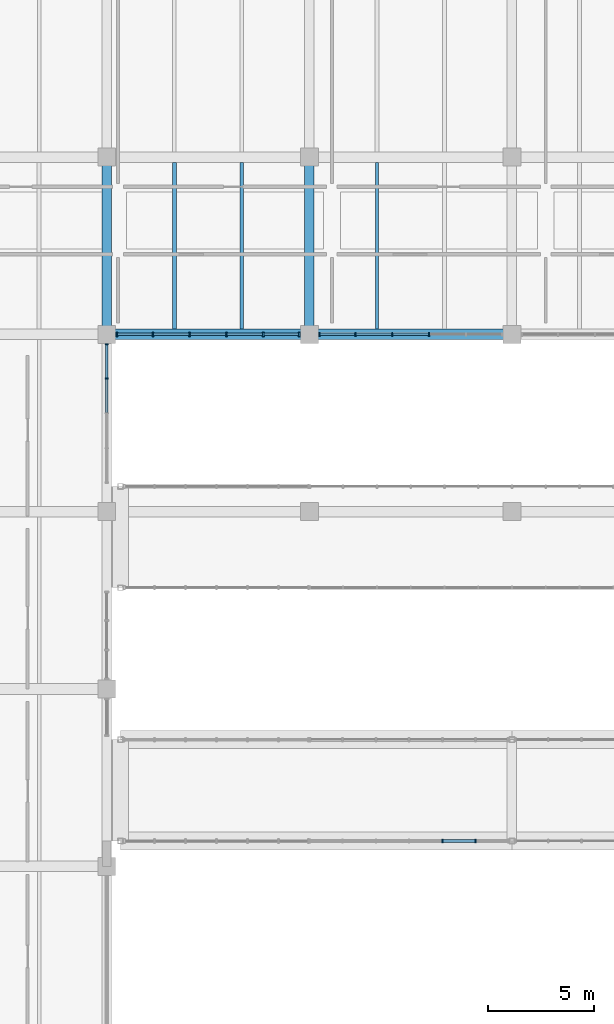
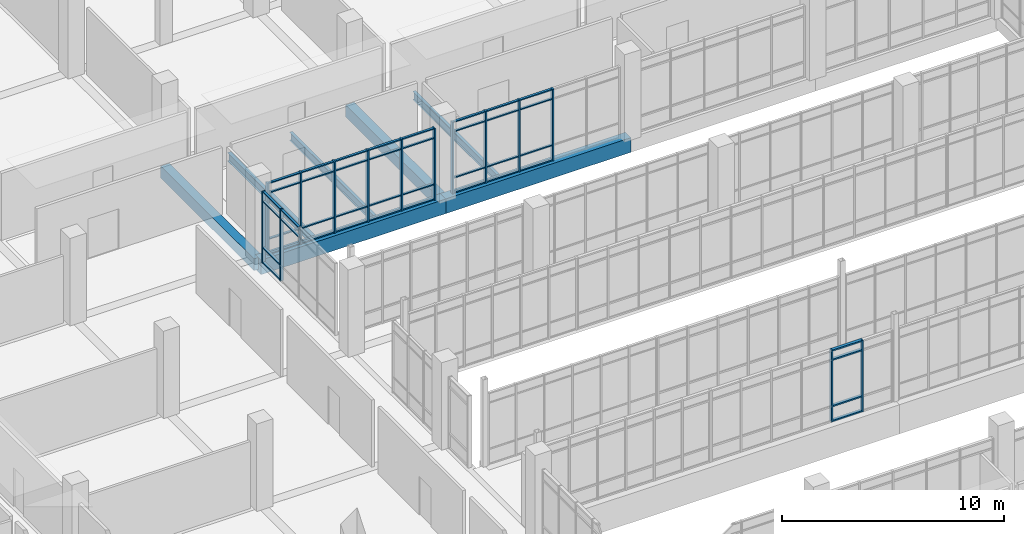
# One storey, part 54 of 152: 56 members, 7 beams, 4 elements without a shape of their own.
"""IFC4 building model written with IfcOpenShell, lengths in metres."""

from ifc_helpers import new_model, si_unit, direction, frame, origin, origin_2d, place, context, subcontext, project, spatial, rectangle, i_section, extrude, material, material_profile, profile_set, type_object, element, aggregate, save


model = new_model("IFC4")

# Units and contexts
model_context = context("Model", 3, precision=1e-05, world=origin(), true_north=direction((0.0, 1.0)))
body_context = subcontext(model_context, "Body", "Model", "MODEL_VIEW")
ifc_project = project(units=[si_unit("LENGTHUNIT", "METRE"), si_unit("AREAUNIT", "SQUARE_METRE"), si_unit("VOLUMEUNIT", "CUBIC_METRE"), si_unit("PLANEANGLEUNIT", "RADIAN"), si_unit("MASSUNIT", "GRAM", prefix="KILO")], contexts=[model_context])

# Site, building, storey
site_placement = place(None, origin())
site = spatial("IfcSite", under=ifc_project, at=site_placement, CompositionType="ELEMENT")
building_placement = place(site_placement, origin())
building = spatial("IfcBuilding", under=site, at=building_placement, Name="Oolite Switchyard Hospital", CompositionType="ELEMENT")
storey_placement = place(building_placement, frame((0.0, 0.0, 5.10009765625)))
storey = spatial("IfcBuildingStorey", under=building, at=storey_placement, Name="L01", CompositionType="ELEMENT", Elevation=5.10009765625)

# Beams
ifc_material_1 = material(Name="Concrete C40/50", Category="concrete")
ifc_material_profile_1 = material_profile(ifc_material_1, rectangle(XDim=0.449951171875, YDim=0.64990234375, at=origin_2d()), Name="RCB450X650")
ifc_profile_set_1 = profile_set([ifc_material_profile_1], Name="Concrete C40/50")
beam_type_1 = type_object("IfcBeamType", Name="BM-RC450X650", PredefinedType="BEAM", material=ifc_profile_set_1)
for number, where, z_axis, x_axis, name in (
    (1, (144.0, 58.800048828125, -0.3251953125), (0.0, 1.0, 0.0), (-1.0, 0.0, 0.0), "L01 Y-Girder 465"),
    (2, (153.60009765625, 58.800048828125, -0.3251953125), (0.0, 1.0, 0.0), (-1.0, 0.0, 0.0), "L01 Y-Girder 478"),
):
    element("IfcBeam", number, at=place(storey_placement, frame(where, z_axis=z_axis, x_axis=x_axis)), inside=storey, type_object=beam_type_1, Name=name, PredefinedType="BEAM", context=body_context, shape_type="SweptSolid", body=[
        extrude(rectangle(XDim=0.449951171875, YDim=0.64990234375, at=origin_2d()), origin(), (0.0, 0.0, 1.0), 8.39990234375),
    ])
ifc_material_profile_2 = material_profile(ifc_material_1, rectangle(XDim=0.5, YDim=0.800048828125, at=origin_2d()), Name="RCB500X800")
ifc_profile_set_2 = profile_set([ifc_material_profile_2], Name="Concrete C40/50")
beam_type_2 = type_object("IfcBeamType", Name="BM-RC500X800", PredefinedType="BEAM", material=ifc_profile_set_2)
beam_1_placement = place(storey_placement, frame((144.0, 58.800048828125, -0.400146484375), z_axis=(1.0, 0.0, 0.0), x_axis=(0.0, 1.0, 0.0)))
element("IfcBeam", 3, at=beam_1_placement, inside=storey, type_object=beam_type_2, Name="L01 X-Girder 121", PredefinedType="BEAM", context=body_context, shape_type="SweptSolid", body=[
    extrude(rectangle(XDim=0.5, YDim=0.800048828125, at=origin_2d()), origin(), (0.0, 0.0, 1.0), 9.60009765625),
])
beam_2_placement = place(storey_placement, frame((153.60009765625, 58.800048828125, -0.400146484375), z_axis=(1.0, 0.0, 0.0), x_axis=(0.0, 1.0, 0.0)))
element("IfcBeam", 4, at=beam_2_placement, inside=storey, type_object=beam_type_2, Name="L01 X-Girder 122", PredefinedType="BEAM", context=body_context, shape_type="SweptSolid", body=[
    extrude(rectangle(XDim=0.5, YDim=0.800048828125, at=origin_2d()), origin(), (0.0, 0.0, 1.0), 9.599853515625),
])
ifc_material_2 = material(Name="Steel ASTM A992 Grade 50", Category="steel")
ifc_material_profile_3 = material_profile(ifc_material_2, i_section(OverallWidth=0.153076171875, OverallDepth=0.455078125, WebThickness=0.008056640625, FlangeThickness=0.012939453125, at=origin_2d()), Name="W18X40")
ifc_profile_set_3 = profile_set([ifc_material_profile_3], Name="Steel ASTM A992 Grade 50")
beam_type_3 = type_object("IfcBeamType", Name="BM-W18X40", PredefinedType="JOIST", material=ifc_profile_set_3)
for number, where, z_axis, x_axis, name in (
    (5, (150.39990234375, 59.050048828125, -0.503173828125), (0.0, 1.0, 0.0), (-1.0, 0.0, 0.0), "L01 Secondary Steel Joist 855"),
    (6, (156.800048828125, 59.050048828125, -0.503173828125), (0.0, 1.0, 0.0), (-1.0, 0.0, 0.0), "L01 Secondary Steel Joist 876"),
):
    element("IfcBeam", number, at=place(storey_placement, frame(where, z_axis=z_axis, x_axis=x_axis)), inside=storey, type_object=beam_type_3, Name=name, PredefinedType="JOIST", context=body_context, shape_type="SweptSolid", body=[
        extrude(i_section(OverallWidth=0.153076171875, OverallDepth=0.455078125, WebThickness=0.008056640625, FlangeThickness=0.012939453125, at=origin_2d()), origin(), (0.0, 0.0, 1.0), 7.89990234375),
    ])
ifc_material_profile_4 = material_profile(ifc_material_2, i_section(OverallWidth=0.19091796875, OverallDepth=0.4599609375, WebThickness=0.010009765625, FlangeThickness=0.01611328125, at=origin_2d()), Name="W18X55")
ifc_profile_set_4 = profile_set([ifc_material_profile_4], Name="Steel ASTM A992 Grade 50")
beam_type_4 = type_object("IfcBeamType", Name="BM-W18X55", PredefinedType="JOIST", material=ifc_profile_set_4)
beam_3_placement = place(storey_placement, frame((147.199951171875, 59.050048828125, -0.505126953125), z_axis=(0.0, 1.0, 0.0), x_axis=(-1.0, 0.0, 0.0)))
element("IfcBeam", 7, at=beam_3_placement, inside=storey, type_object=beam_type_4, Name="L01 Secondary Steel Joist 854", PredefinedType="JOIST", context=body_context, shape_type="SweptSolid", body=[
    extrude(i_section(OverallWidth=0.19091796875, OverallDepth=0.4599609375, WebThickness=0.010009765625, FlangeThickness=0.01611328125, at=origin_2d()), origin(), (0.0, 0.0, 1.0), 7.89990234375),
])

# Curtain wall, members
ifc_material_3 = material(Name="Thermally broken aluminum frame with laminated impact glazing", Category="aluminium")
curtain_wall_type_1 = type_object("IfcCurtainWallType", Name="CW-UNIT-84X48", PredefinedType="USERDEFINED", material=ifc_material_3)
curtain_wall_1_placement = place(storey_placement, origin())
curtain_wall_1 = element("IfcCurtainWall", 8, at=curtain_wall_1_placement, inside=storey, type_object=curtain_wall_type_1, Name="L01 Unitised Curtain Wall 194", ObjectType="UNITISED", PredefinedType="USERDEFINED")
ifc_material_4 = material(Name="Aluminium 6063-T6", Category="aluminium")
ifc_material_profile_5 = material_profile(ifc_material_4, rectangle(XDim=0.159912109375, YDim=0.06005859375, at=origin_2d()), Name="CWM60X160")
ifc_profile_set_5 = profile_set([ifc_material_profile_5], Name="Aluminium 6063-T6")
member_type_1 = type_object("IfcMemberType", Name="CW-MUL-180", PredefinedType="MULLION", material=ifc_profile_set_5)
member_1_placement = place(storey_placement, frame((144.0, 58.330078125, 0.0), z_axis=(0.0, 0.0, 1.0), x_axis=(1.0, 0.0, 0.0)))
member_1 = element("IfcMember", 9, at=member_1_placement, type_object=member_type_1, Name="CW-07 mullion 1", PredefinedType="MULLION", context=body_context, shape_type="SweptSolid", body=[
    extrude(rectangle(XDim=0.159912109375, YDim=0.06005859375, at=origin_2d()), origin(), (0.0, 0.0, 1.0), 3.93994140625),
])
member_2_placement = place(storey_placement, frame((144.0, 56.7099609375, 0.0), z_axis=(0.0, 0.0, 1.0), x_axis=(1.0, 0.0, 0.0)))
member_2 = element("IfcMember", 10, at=member_2_placement, type_object=member_type_1, Name="CW-07 mullion 2", PredefinedType="MULLION", context=body_context, shape_type="SweptSolid", body=[
    extrude(rectangle(XDim=0.159912109375, YDim=0.06005859375, at=origin_2d()), origin(), (0.0, 0.0, 1.0), 3.93994140625),
])

curtain_wall_type_2 = type_object("IfcCurtainWallType", Name="CW-BRG-96X38", PredefinedType="USERDEFINED", material=ifc_material_3)
curtain_wall_2_placement = place(storey_placement, origin())
curtain_wall_2 = element("IfcCurtainWall", 11, at=curtain_wall_2_placement, inside=storey, type_object=curtain_wall_type_2, Name="L01 Unitised Curtain Wall 117", ObjectType="UNITISED", PredefinedType="USERDEFINED")
ifc_material_profile_6 = material_profile(ifc_material_4, rectangle(XDim=0.179931640625, YDim=0.070068359375, at=origin_2d()), Name="CWM70X180")
ifc_profile_set_6 = profile_set([ifc_material_profile_6], Name="Aluminium 6063-T6")
member_type_2 = type_object("IfcMemberType", Name="CW-MUL-220", PredefinedType="MULLION", material=ifc_profile_set_6)
member_3_placement = place(storey_placement, frame((161.481689453125, 34.800048828125, 0.0), z_axis=(0.0, 0.0, 1.0), x_axis=(0.0, -1.0, 0.0)))
member_3 = element("IfcMember", 12, at=member_3_placement, type_object=member_type_2, Name="CW-12 mullion 2", PredefinedType="MULLION", context=body_context, shape_type="SweptSolid", body=[
    extrude(rectangle(XDim=0.179931640625, YDim=0.070068359375, at=origin_2d()), origin(), (0.0, 0.0, 1.0), 3.93994140625),
])
member_4_placement = place(storey_placement, frame((159.9052734375, 34.800048828125, 0.0), z_axis=(0.0, 0.0, 1.0), x_axis=(0.0, -1.0, 0.0)))
member_4 = element("IfcMember", 13, at=member_4_placement, type_object=member_type_2, Name="CW-12 mullion 3", PredefinedType="MULLION", context=body_context, shape_type="SweptSolid", body=[
    extrude(rectangle(XDim=0.179931640625, YDim=0.070068359375, at=origin_2d()), origin(), (0.0, 0.0, 1.0), 3.93994140625),
])

curtain_wall_type_3 = type_object("IfcCurtainWallType", Name="CW-UNIT-96X48", PredefinedType="USERDEFINED", material=ifc_material_3)
curtain_wall_3_placement = place(storey_placement, origin())
curtain_wall_3 = element("IfcCurtainWall", 14, at=curtain_wall_3_placement, inside=storey, type_object=curtain_wall_type_3, Name="L01 Unitised Curtain Wall 132", ObjectType="UNITISED", PredefinedType="USERDEFINED")
member_5_placement = place(storey_placement, frame((159.27197265625, 58.800048828125, 0.0), z_axis=(0.0, 0.0, 1.0), x_axis=(0.0, -1.0, 0.0)))
member_5 = element("IfcMember", 15, at=member_5_placement, type_object=member_type_2, Name="CW-02 mullion 3", PredefinedType="MULLION", context=body_context, shape_type="SweptSolid", body=[
    extrude(rectangle(XDim=0.179931640625, YDim=0.070068359375, at=origin_2d()), origin(), (0.0, 0.0, 1.0), 3.93994140625),
])
member_6_placement = place(storey_placement, frame((157.528076171875, 58.800048828125, 0.0), z_axis=(0.0, 0.0, 1.0), x_axis=(0.0, -1.0, 0.0)))
member_6 = element("IfcMember", 16, at=member_6_placement, type_object=member_type_2, Name="CW-02 mullion 4", PredefinedType="MULLION", context=body_context, shape_type="SweptSolid", body=[
    extrude(rectangle(XDim=0.179931640625, YDim=0.070068359375, at=origin_2d()), origin(), (0.0, 0.0, 1.0), 3.93994140625),
])
member_7_placement = place(storey_placement, frame((155.783935546875, 58.800048828125, 0.0), z_axis=(0.0, 0.0, 1.0), x_axis=(0.0, -1.0, 0.0)))
member_7 = element("IfcMember", 17, at=member_7_placement, type_object=member_type_2, Name="CW-02 mullion 5", PredefinedType="MULLION", context=body_context, shape_type="SweptSolid", body=[
    extrude(rectangle(XDim=0.179931640625, YDim=0.070068359375, at=origin_2d()), origin(), (0.0, 0.0, 1.0), 3.93994140625),
])
member_8_placement = place(storey_placement, frame((154.074951171875, 58.800048828125, 0.0), z_axis=(0.0, 0.0, 1.0), x_axis=(0.0, -1.0, 0.0)))
member_8 = element("IfcMember", 18, at=member_8_placement, type_object=member_type_2, Name="CW-02 mullion 6", PredefinedType="MULLION", context=body_context, shape_type="SweptSolid", body=[
    extrude(rectangle(XDim=0.179931640625, YDim=0.070068359375, at=origin_2d()), origin(), (0.0, 0.0, 1.0), 3.93994140625),
])

curtain_wall_4_placement = place(storey_placement, origin())
curtain_wall_4 = element("IfcCurtainWall", 19, at=curtain_wall_4_placement, inside=storey, type_object=curtain_wall_type_3, Name="L01 Unitised Curtain Wall 130", ObjectType="UNITISED", PredefinedType="USERDEFINED")
ifc_material_profile_7 = material_profile(ifc_material_4, rectangle(XDim=0.199951171875, YDim=0.074951171875, at=origin_2d()), Name="CWM75X200")
ifc_profile_set_7 = profile_set([ifc_material_profile_7], Name="Aluminium 6063-T6")
member_type_3 = type_object("IfcMemberType", Name="CW-MUL-260", PredefinedType="MULLION", material=ifc_profile_set_7)
member_9_placement = place(storey_placement, frame((153.12255859375, 58.800048828125, 0.0), z_axis=(0.0, 0.0, 1.0), x_axis=(0.0, -1.0, 0.0)))
member_9 = element("IfcMember", 20, at=member_9_placement, type_object=member_type_3, Name="CW-02 mullion 1", PredefinedType="MULLION", context=body_context, shape_type="SweptSolid", body=[
    extrude(rectangle(XDim=0.199951171875, YDim=0.074951171875, at=origin_2d()), origin(), (0.0, 0.0, 1.0), 3.93994140625),
])
member_10_placement = place(storey_placement, frame((151.416015625, 58.800048828125, 0.0), z_axis=(0.0, 0.0, 1.0), x_axis=(0.0, -1.0, 0.0)))
member_10 = element("IfcMember", 21, at=member_10_placement, type_object=member_type_3, Name="CW-02 mullion 2", PredefinedType="MULLION", context=body_context, shape_type="SweptSolid", body=[
    extrude(rectangle(XDim=0.199951171875, YDim=0.074951171875, at=origin_2d()), origin(), (0.0, 0.0, 1.0), 3.93994140625),
])
member_11_placement = place(storey_placement, frame((149.672119140625, 58.800048828125, 0.0), z_axis=(0.0, 0.0, 1.0), x_axis=(0.0, -1.0, 0.0)))
member_11 = element("IfcMember", 22, at=member_11_placement, type_object=member_type_3, Name="CW-02 mullion 3", PredefinedType="MULLION", context=body_context, shape_type="SweptSolid", body=[
    extrude(rectangle(XDim=0.199951171875, YDim=0.074951171875, at=origin_2d()), origin(), (0.0, 0.0, 1.0), 3.93994140625),
])
member_12_placement = place(storey_placement, frame((147.927978515625, 58.800048828125, 0.0), z_axis=(0.0, 0.0, 1.0), x_axis=(0.0, -1.0, 0.0)))
member_12 = element("IfcMember", 23, at=member_12_placement, type_object=member_type_3, Name="CW-02 mullion 4", PredefinedType="MULLION", context=body_context, shape_type="SweptSolid", body=[
    extrude(rectangle(XDim=0.199951171875, YDim=0.074951171875, at=origin_2d()), origin(), (0.0, 0.0, 1.0), 3.93994140625),
])
member_13_placement = place(storey_placement, frame((146.18408203125, 58.800048828125, 0.0), z_axis=(0.0, 0.0, 1.0), x_axis=(0.0, -1.0, 0.0)))
member_13 = element("IfcMember", 24, at=member_13_placement, type_object=member_type_3, Name="CW-02 mullion 5", PredefinedType="MULLION", context=body_context, shape_type="SweptSolid", body=[
    extrude(rectangle(XDim=0.199951171875, YDim=0.074951171875, at=origin_2d()), origin(), (0.0, 0.0, 1.0), 3.93994140625),
])
member_14_placement = place(storey_placement, frame((144.4775390625, 58.800048828125, 0.0), z_axis=(0.0, 0.0, 1.0), x_axis=(0.0, -1.0, 0.0)))
member_14 = element("IfcMember", 25, at=member_14_placement, type_object=member_type_3, Name="CW-02 mullion 6", PredefinedType="MULLION", context=body_context, shape_type="SweptSolid", body=[
    extrude(rectangle(XDim=0.199951171875, YDim=0.074951171875, at=origin_2d()), origin(), (0.0, 0.0, 1.0), 3.93994140625),
])
ifc_material_profile_8 = material_profile(ifc_material_4, rectangle(XDim=0.1201171875, YDim=0.06005859375, at=origin_2d()), Name="CWT60X120")
ifc_profile_set_8 = profile_set([ifc_material_profile_8], Name="Aluminium 6063-T6")
member_type_4 = type_object("IfcMemberType", Name="CW-TRN-150", PredefinedType="USERDEFINED", material=ifc_profile_set_8)
member_15_placement = place(storey_placement, frame((153.0849609375, 58.800048828125, 0.02978515625), z_axis=(-1.0, 0.0, 0.0), x_axis=(0.0, -1.0, 0.0)))
member_15 = element("IfcMember", 26, at=member_15_placement, type_object=member_type_4, Name="CW-02 transom 1.1", ObjectType="TRANSOM", PredefinedType="USERDEFINED", context=body_context, shape_type="SweptSolid", body=[
    extrude(rectangle(XDim=0.1201171875, YDim=0.06005859375, at=origin_2d()), origin(), (0.0, 0.0, 1.0), 1.63134765625),
])
member_16_placement = place(storey_placement, frame((153.0849609375, 58.800048828125, 0.849853515625), z_axis=(-1.0, 0.0, 0.0), x_axis=(0.0, -1.0, 0.0)))
member_16 = element("IfcMember", 27, at=member_16_placement, type_object=member_type_4, Name="CW-02 transom 1.2", ObjectType="TRANSOM", PredefinedType="USERDEFINED", context=body_context, shape_type="SweptSolid", body=[
    extrude(rectangle(XDim=0.1201171875, YDim=0.06005859375, at=origin_2d()), origin(), (0.0, 0.0, 1.0), 1.63134765625),
])
member_17_placement = place(storey_placement, frame((153.0849609375, 58.800048828125, 3.389892578125), z_axis=(-1.0, 0.0, 0.0), x_axis=(0.0, -1.0, 0.0)))
member_17 = element("IfcMember", 28, at=member_17_placement, type_object=member_type_4, Name="CW-02 transom 1.3", ObjectType="TRANSOM", PredefinedType="USERDEFINED", context=body_context, shape_type="SweptSolid", body=[
    extrude(rectangle(XDim=0.1201171875, YDim=0.06005859375, at=origin_2d()), origin(), (0.0, 0.0, 1.0), 1.63134765625),
])
member_18_placement = place(storey_placement, frame((153.0849609375, 58.800048828125, 3.909912109375), z_axis=(-1.0, 0.0, 0.0), x_axis=(0.0, -1.0, 0.0)))
member_18 = element("IfcMember", 29, at=member_18_placement, type_object=member_type_4, Name="CW-02 transom 1.4", ObjectType="TRANSOM", PredefinedType="USERDEFINED", context=body_context, shape_type="SweptSolid", body=[
    extrude(rectangle(XDim=0.1201171875, YDim=0.06005859375, at=origin_2d()), origin(), (0.0, 0.0, 1.0), 1.63134765625),
])
member_19_placement = place(storey_placement, frame((151.37841796875, 58.800048828125, 0.02978515625), z_axis=(-1.0, 0.0, 0.0), x_axis=(0.0, -1.0, 0.0)))
member_19 = element("IfcMember", 30, at=member_19_placement, type_object=member_type_4, Name="CW-02 transom 2.1", ObjectType="TRANSOM", PredefinedType="USERDEFINED", context=body_context, shape_type="SweptSolid", body=[
    extrude(rectangle(XDim=0.1201171875, YDim=0.06005859375, at=origin_2d()), origin(), (0.0, 0.0, 1.0), 1.6689453125),
])
member_20_placement = place(storey_placement, frame((151.37841796875, 58.800048828125, 0.849853515625), z_axis=(-1.0, 0.0, 0.0), x_axis=(0.0, -1.0, 0.0)))
member_20 = element("IfcMember", 31, at=member_20_placement, type_object=member_type_4, Name="CW-02 transom 2.2", ObjectType="TRANSOM", PredefinedType="USERDEFINED", context=body_context, shape_type="SweptSolid", body=[
    extrude(rectangle(XDim=0.1201171875, YDim=0.06005859375, at=origin_2d()), origin(), (0.0, 0.0, 1.0), 1.6689453125),
])
member_21_placement = place(storey_placement, frame((151.37841796875, 58.800048828125, 3.389892578125), z_axis=(-1.0, 0.0, 0.0), x_axis=(0.0, -1.0, 0.0)))
member_21 = element("IfcMember", 32, at=member_21_placement, type_object=member_type_4, Name="CW-02 transom 2.3", ObjectType="TRANSOM", PredefinedType="USERDEFINED", context=body_context, shape_type="SweptSolid", body=[
    extrude(rectangle(XDim=0.1201171875, YDim=0.06005859375, at=origin_2d()), origin(), (0.0, 0.0, 1.0), 1.6689453125),
])
member_22_placement = place(storey_placement, frame((151.37841796875, 58.800048828125, 3.909912109375), z_axis=(-1.0, 0.0, 0.0), x_axis=(0.0, -1.0, 0.0)))
member_22 = element("IfcMember", 33, at=member_22_placement, type_object=member_type_4, Name="CW-02 transom 2.4", ObjectType="TRANSOM", PredefinedType="USERDEFINED", context=body_context, shape_type="SweptSolid", body=[
    extrude(rectangle(XDim=0.1201171875, YDim=0.06005859375, at=origin_2d()), origin(), (0.0, 0.0, 1.0), 1.6689453125),
])
member_23_placement = place(storey_placement, frame((149.634521484375, 58.800048828125, 0.02978515625), z_axis=(-1.0, 0.0, 0.0), x_axis=(0.0, -1.0, 0.0)))
member_23 = element("IfcMember", 34, at=member_23_placement, type_object=member_type_4, Name="CW-02 transom 3.1", ObjectType="TRANSOM", PredefinedType="USERDEFINED", context=body_context, shape_type="SweptSolid", body=[
    extrude(rectangle(XDim=0.1201171875, YDim=0.06005859375, at=origin_2d()), origin(), (0.0, 0.0, 1.0), 1.6689453125),
])
member_24_placement = place(storey_placement, frame((149.634521484375, 58.800048828125, 0.849853515625), z_axis=(-1.0, 0.0, 0.0), x_axis=(0.0, -1.0, 0.0)))
member_24 = element("IfcMember", 35, at=member_24_placement, type_object=member_type_4, Name="CW-02 transom 3.2", ObjectType="TRANSOM", PredefinedType="USERDEFINED", context=body_context, shape_type="SweptSolid", body=[
    extrude(rectangle(XDim=0.1201171875, YDim=0.06005859375, at=origin_2d()), origin(), (0.0, 0.0, 1.0), 1.6689453125),
])
member_25_placement = place(storey_placement, frame((149.634521484375, 58.800048828125, 3.389892578125), z_axis=(-1.0, 0.0, 0.0), x_axis=(0.0, -1.0, 0.0)))
member_25 = element("IfcMember", 36, at=member_25_placement, type_object=member_type_4, Name="CW-02 transom 3.3", ObjectType="TRANSOM", PredefinedType="USERDEFINED", context=body_context, shape_type="SweptSolid", body=[
    extrude(rectangle(XDim=0.1201171875, YDim=0.06005859375, at=origin_2d()), origin(), (0.0, 0.0, 1.0), 1.6689453125),
])
member_26_placement = place(storey_placement, frame((149.634521484375, 58.800048828125, 3.909912109375), z_axis=(-1.0, 0.0, 0.0), x_axis=(0.0, -1.0, 0.0)))
member_26 = element("IfcMember", 37, at=member_26_placement, type_object=member_type_4, Name="CW-02 transom 3.4", ObjectType="TRANSOM", PredefinedType="USERDEFINED", context=body_context, shape_type="SweptSolid", body=[
    extrude(rectangle(XDim=0.1201171875, YDim=0.06005859375, at=origin_2d()), origin(), (0.0, 0.0, 1.0), 1.6689453125),
])
member_27_placement = place(storey_placement, frame((147.890380859375, 58.800048828125, 0.02978515625), z_axis=(-1.0, 0.0, 0.0), x_axis=(0.0, -1.0, 0.0)))
member_27 = element("IfcMember", 38, at=member_27_placement, type_object=member_type_4, Name="CW-02 transom 4.1", ObjectType="TRANSOM", PredefinedType="USERDEFINED", context=body_context, shape_type="SweptSolid", body=[
    extrude(rectangle(XDim=0.1201171875, YDim=0.06005859375, at=origin_2d()), origin(), (0.0, 0.0, 1.0), 1.6689453125),
])
member_28_placement = place(storey_placement, frame((147.890380859375, 58.800048828125, 0.849853515625), z_axis=(-1.0, 0.0, 0.0), x_axis=(0.0, -1.0, 0.0)))
member_28 = element("IfcMember", 39, at=member_28_placement, type_object=member_type_4, Name="CW-02 transom 4.2", ObjectType="TRANSOM", PredefinedType="USERDEFINED", context=body_context, shape_type="SweptSolid", body=[
    extrude(rectangle(XDim=0.1201171875, YDim=0.06005859375, at=origin_2d()), origin(), (0.0, 0.0, 1.0), 1.6689453125),
])
member_29_placement = place(storey_placement, frame((147.890380859375, 58.800048828125, 3.389892578125), z_axis=(-1.0, 0.0, 0.0), x_axis=(0.0, -1.0, 0.0)))
member_29 = element("IfcMember", 40, at=member_29_placement, type_object=member_type_4, Name="CW-02 transom 4.3", ObjectType="TRANSOM", PredefinedType="USERDEFINED", context=body_context, shape_type="SweptSolid", body=[
    extrude(rectangle(XDim=0.1201171875, YDim=0.06005859375, at=origin_2d()), origin(), (0.0, 0.0, 1.0), 1.6689453125),
])
member_30_placement = place(storey_placement, frame((147.890380859375, 58.800048828125, 3.909912109375), z_axis=(-1.0, 0.0, 0.0), x_axis=(0.0, -1.0, 0.0)))
member_30 = element("IfcMember", 41, at=member_30_placement, type_object=member_type_4, Name="CW-02 transom 4.4", ObjectType="TRANSOM", PredefinedType="USERDEFINED", context=body_context, shape_type="SweptSolid", body=[
    extrude(rectangle(XDim=0.1201171875, YDim=0.06005859375, at=origin_2d()), origin(), (0.0, 0.0, 1.0), 1.6689453125),
])
member_31_placement = place(storey_placement, frame((146.146484375, 58.800048828125, 0.02978515625), z_axis=(-1.0, 0.0, 0.0), x_axis=(0.0, -1.0, 0.0)))
member_31 = element("IfcMember", 42, at=member_31_placement, type_object=member_type_4, Name="CW-02 transom 5.1", ObjectType="TRANSOM", PredefinedType="USERDEFINED", context=body_context, shape_type="SweptSolid", body=[
    extrude(rectangle(XDim=0.1201171875, YDim=0.06005859375, at=origin_2d()), origin(), (0.0, 0.0, 1.0), 1.631591796875),
])
member_32_placement = place(storey_placement, frame((146.146484375, 58.800048828125, 0.849853515625), z_axis=(-1.0, 0.0, 0.0), x_axis=(0.0, -1.0, 0.0)))
member_32 = element("IfcMember", 43, at=member_32_placement, type_object=member_type_4, Name="CW-02 transom 5.2", ObjectType="TRANSOM", PredefinedType="USERDEFINED", context=body_context, shape_type="SweptSolid", body=[
    extrude(rectangle(XDim=0.1201171875, YDim=0.06005859375, at=origin_2d()), origin(), (0.0, 0.0, 1.0), 1.631591796875),
])
member_33_placement = place(storey_placement, frame((146.146484375, 58.800048828125, 3.389892578125), z_axis=(-1.0, 0.0, 0.0), x_axis=(0.0, -1.0, 0.0)))
member_33 = element("IfcMember", 44, at=member_33_placement, type_object=member_type_4, Name="CW-02 transom 5.3", ObjectType="TRANSOM", PredefinedType="USERDEFINED", context=body_context, shape_type="SweptSolid", body=[
    extrude(rectangle(XDim=0.1201171875, YDim=0.06005859375, at=origin_2d()), origin(), (0.0, 0.0, 1.0), 1.631591796875),
])
member_34_placement = place(storey_placement, frame((146.146484375, 58.800048828125, 3.909912109375), z_axis=(-1.0, 0.0, 0.0), x_axis=(0.0, -1.0, 0.0)))
member_34 = element("IfcMember", 45, at=member_34_placement, type_object=member_type_4, Name="CW-02 transom 5.4", ObjectType="TRANSOM", PredefinedType="USERDEFINED", context=body_context, shape_type="SweptSolid", body=[
    extrude(rectangle(XDim=0.1201171875, YDim=0.06005859375, at=origin_2d()), origin(), (0.0, 0.0, 1.0), 1.631591796875),
])
aggregate(curtain_wall_4, [member_9, member_10, member_11, member_12, member_13, member_14, member_15, member_16, member_17, member_18, member_19, member_20, member_21, member_22, member_23, member_24, member_25, member_26, member_27, member_28, member_29, member_30, member_31, member_32, member_33, member_34])

# Member
member_35_placement = place(storey_placement, frame((159.237060546875, 58.800048828125, 0.02978515625), z_axis=(-1.0, 0.0, 0.0), x_axis=(0.0, -1.0, 0.0)))
member_35 = element("IfcMember", 46, at=member_35_placement, type_object=member_type_4, Name="CW-02 transom 3.1", ObjectType="TRANSOM", PredefinedType="USERDEFINED", context=body_context, shape_type="SweptSolid", body=[
    extrude(rectangle(XDim=0.1201171875, YDim=0.06005859375, at=origin_2d()), origin(), (0.0, 0.0, 1.0), 1.674072265625),
])

member_36_placement = place(storey_placement, frame((159.237060546875, 58.800048828125, 0.849853515625), z_axis=(-1.0, 0.0, 0.0), x_axis=(0.0, -1.0, 0.0)))
member_36 = element("IfcMember", 47, at=member_36_placement, type_object=member_type_4, Name="CW-02 transom 3.2", ObjectType="TRANSOM", PredefinedType="USERDEFINED", context=body_context, shape_type="SweptSolid", body=[
    extrude(rectangle(XDim=0.1201171875, YDim=0.06005859375, at=origin_2d()), origin(), (0.0, 0.0, 1.0), 1.674072265625),
])

member_37_placement = place(storey_placement, frame((159.237060546875, 58.800048828125, 3.389892578125), z_axis=(-1.0, 0.0, 0.0), x_axis=(0.0, -1.0, 0.0)))
member_37 = element("IfcMember", 48, at=member_37_placement, type_object=member_type_4, Name="CW-02 transom 3.3", ObjectType="TRANSOM", PredefinedType="USERDEFINED", context=body_context, shape_type="SweptSolid", body=[
    extrude(rectangle(XDim=0.1201171875, YDim=0.06005859375, at=origin_2d()), origin(), (0.0, 0.0, 1.0), 1.674072265625),
])

member_38_placement = place(storey_placement, frame((159.237060546875, 58.800048828125, 3.909912109375), z_axis=(-1.0, 0.0, 0.0), x_axis=(0.0, -1.0, 0.0)))
member_38 = element("IfcMember", 49, at=member_38_placement, type_object=member_type_4, Name="CW-02 transom 3.4", ObjectType="TRANSOM", PredefinedType="USERDEFINED", context=body_context, shape_type="SweptSolid", body=[
    extrude(rectangle(XDim=0.1201171875, YDim=0.06005859375, at=origin_2d()), origin(), (0.0, 0.0, 1.0), 1.674072265625),
])

member_39_placement = place(storey_placement, frame((157.492919921875, 58.800048828125, 0.02978515625), z_axis=(-1.0, 0.0, 0.0), x_axis=(0.0, -1.0, 0.0)))
member_39 = element("IfcMember", 50, at=member_39_placement, type_object=member_type_4, Name="CW-02 transom 4.1", ObjectType="TRANSOM", PredefinedType="USERDEFINED", context=body_context, shape_type="SweptSolid", body=[
    extrude(rectangle(XDim=0.1201171875, YDim=0.06005859375, at=origin_2d()), origin(), (0.0, 0.0, 1.0), 1.673828125),
])

member_40_placement = place(storey_placement, frame((157.492919921875, 58.800048828125, 0.849853515625), z_axis=(-1.0, 0.0, 0.0), x_axis=(0.0, -1.0, 0.0)))
member_40 = element("IfcMember", 51, at=member_40_placement, type_object=member_type_4, Name="CW-02 transom 4.2", ObjectType="TRANSOM", PredefinedType="USERDEFINED", context=body_context, shape_type="SweptSolid", body=[
    extrude(rectangle(XDim=0.1201171875, YDim=0.06005859375, at=origin_2d()), origin(), (0.0, 0.0, 1.0), 1.673828125),
])

member_41_placement = place(storey_placement, frame((157.492919921875, 58.800048828125, 3.389892578125), z_axis=(-1.0, 0.0, 0.0), x_axis=(0.0, -1.0, 0.0)))
member_41 = element("IfcMember", 52, at=member_41_placement, type_object=member_type_4, Name="CW-02 transom 4.3", ObjectType="TRANSOM", PredefinedType="USERDEFINED", context=body_context, shape_type="SweptSolid", body=[
    extrude(rectangle(XDim=0.1201171875, YDim=0.06005859375, at=origin_2d()), origin(), (0.0, 0.0, 1.0), 1.673828125),
])

member_42_placement = place(storey_placement, frame((157.492919921875, 58.800048828125, 3.909912109375), z_axis=(-1.0, 0.0, 0.0), x_axis=(0.0, -1.0, 0.0)))
member_42 = element("IfcMember", 53, at=member_42_placement, type_object=member_type_4, Name="CW-02 transom 4.4", ObjectType="TRANSOM", PredefinedType="USERDEFINED", context=body_context, shape_type="SweptSolid", body=[
    extrude(rectangle(XDim=0.1201171875, YDim=0.06005859375, at=origin_2d()), origin(), (0.0, 0.0, 1.0), 1.673828125),
])

member_43_placement = place(storey_placement, frame((155.7490234375, 58.800048828125, 0.02978515625), z_axis=(-1.0, 0.0, 0.0), x_axis=(0.0, -1.0, 0.0)))
member_43 = element("IfcMember", 54, at=member_43_placement, type_object=member_type_4, Name="CW-02 transom 5.1", ObjectType="TRANSOM", PredefinedType="USERDEFINED", context=body_context, shape_type="SweptSolid", body=[
    extrude(rectangle(XDim=0.1201171875, YDim=0.06005859375, at=origin_2d()), origin(), (0.0, 0.0, 1.0), 1.638916015625),
])

member_44_placement = place(storey_placement, frame((155.7490234375, 58.800048828125, 0.849853515625), z_axis=(-1.0, 0.0, 0.0), x_axis=(0.0, -1.0, 0.0)))
member_44 = element("IfcMember", 55, at=member_44_placement, type_object=member_type_4, Name="CW-02 transom 5.2", ObjectType="TRANSOM", PredefinedType="USERDEFINED", context=body_context, shape_type="SweptSolid", body=[
    extrude(rectangle(XDim=0.1201171875, YDim=0.06005859375, at=origin_2d()), origin(), (0.0, 0.0, 1.0), 1.638916015625),
])

member_45_placement = place(storey_placement, frame((155.7490234375, 58.800048828125, 3.389892578125), z_axis=(-1.0, 0.0, 0.0), x_axis=(0.0, -1.0, 0.0)))
member_45 = element("IfcMember", 56, at=member_45_placement, type_object=member_type_4, Name="CW-02 transom 5.3", ObjectType="TRANSOM", PredefinedType="USERDEFINED", context=body_context, shape_type="SweptSolid", body=[
    extrude(rectangle(XDim=0.1201171875, YDim=0.06005859375, at=origin_2d()), origin(), (0.0, 0.0, 1.0), 1.638916015625),
])

member_46_placement = place(storey_placement, frame((155.7490234375, 58.800048828125, 3.909912109375), z_axis=(-1.0, 0.0, 0.0), x_axis=(0.0, -1.0, 0.0)))
member_46 = element("IfcMember", 57, at=member_46_placement, type_object=member_type_4, Name="CW-02 transom 5.4", ObjectType="TRANSOM", PredefinedType="USERDEFINED", context=body_context, shape_type="SweptSolid", body=[
    extrude(rectangle(XDim=0.1201171875, YDim=0.06005859375, at=origin_2d()), origin(), (0.0, 0.0, 1.0), 1.638916015625),
])

aggregate(curtain_wall_3, [member_5, member_6, member_7, member_8, member_35, member_36, member_37, member_38, member_39, member_40, member_41, member_42, member_43, member_44, member_45, member_46])

member_47_placement = place(storey_placement, frame((144.0, 58.300048828125, 0.02978515625), z_axis=(0.0, -1.0, 0.0), x_axis=(1.0, 0.0, 0.0)))
member_47 = element("IfcMember", 58, at=member_47_placement, type_object=member_type_4, Name="CW-07 transom 1.1", ObjectType="TRANSOM", PredefinedType="USERDEFINED", context=body_context, shape_type="SweptSolid", body=[
    extrude(rectangle(XDim=0.1201171875, YDim=0.06005859375, at=origin_2d()), origin(), (0.0, 0.0, 1.0), 1.56005859375),
])

member_48_placement = place(storey_placement, frame((144.0, 58.300048828125, 0.849853515625), z_axis=(0.0, -1.0, 0.0), x_axis=(1.0, 0.0, 0.0)))
member_48 = element("IfcMember", 59, at=member_48_placement, type_object=member_type_4, Name="CW-07 transom 1.2", ObjectType="TRANSOM", PredefinedType="USERDEFINED", context=body_context, shape_type="SweptSolid", body=[
    extrude(rectangle(XDim=0.1201171875, YDim=0.06005859375, at=origin_2d()), origin(), (0.0, 0.0, 1.0), 1.56005859375),
])

member_49_placement = place(storey_placement, frame((144.0, 58.300048828125, 3.389892578125), z_axis=(0.0, -1.0, 0.0), x_axis=(1.0, 0.0, 0.0)))
member_49 = element("IfcMember", 60, at=member_49_placement, type_object=member_type_4, Name="CW-07 transom 1.3", ObjectType="TRANSOM", PredefinedType="USERDEFINED", context=body_context, shape_type="SweptSolid", body=[
    extrude(rectangle(XDim=0.1201171875, YDim=0.06005859375, at=origin_2d()), origin(), (0.0, 0.0, 1.0), 1.56005859375),
])

member_50_placement = place(storey_placement, frame((144.0, 58.300048828125, 3.909912109375), z_axis=(0.0, -1.0, 0.0), x_axis=(1.0, 0.0, 0.0)))
member_50 = element("IfcMember", 61, at=member_50_placement, type_object=member_type_4, Name="CW-07 transom 1.4", ObjectType="TRANSOM", PredefinedType="USERDEFINED", context=body_context, shape_type="SweptSolid", body=[
    extrude(rectangle(XDim=0.1201171875, YDim=0.06005859375, at=origin_2d()), origin(), (0.0, 0.0, 1.0), 1.56005859375),
])

member_51_placement = place(storey_placement, frame((144.0, 56.679931640625, 3.389892578125), z_axis=(0.0, -1.0, 0.0), x_axis=(1.0, 0.0, 0.0)))
member_51 = element("IfcMember", 62, at=member_51_placement, type_object=member_type_4, Name="CW-07 transom 2.3", ObjectType="TRANSOM", PredefinedType="USERDEFINED", context=body_context, shape_type="SweptSolid", body=[
    extrude(rectangle(XDim=0.1201171875, YDim=0.06005859375, at=origin_2d()), origin(), (0.0, 0.0, 1.0), 1.58984375),
])

member_52_placement = place(storey_placement, frame((144.0, 56.679931640625, 3.909912109375), z_axis=(0.0, -1.0, 0.0), x_axis=(1.0, 0.0, 0.0)))
member_52 = element("IfcMember", 63, at=member_52_placement, type_object=member_type_4, Name="CW-07 transom 2.4", ObjectType="TRANSOM", PredefinedType="USERDEFINED", context=body_context, shape_type="SweptSolid", body=[
    extrude(rectangle(XDim=0.1201171875, YDim=0.06005859375, at=origin_2d()), origin(), (0.0, 0.0, 1.0), 1.58984375),
])

aggregate(curtain_wall_1, [member_1, member_2, member_47, member_48, member_49, member_50, member_51, member_52])

ifc_material_profile_9 = material_profile(ifc_material_4, rectangle(XDim=0.159912109375, YDim=0.074951171875, at=origin_2d()), Name="CWT75X160")
ifc_profile_set_9 = profile_set([ifc_material_profile_9], Name="Aluminium 6063-T6")
member_type_5 = type_object("IfcMemberType", Name="CW-TRN-180", PredefinedType="USERDEFINED", material=ifc_profile_set_9)
member_53_placement = place(storey_placement, frame((161.44677734375, 34.800048828125, 0.037353515625), z_axis=(-1.0, 0.0, 0.0), x_axis=(0.0, -1.0, 0.0)))
member_53 = element("IfcMember", 64, at=member_53_placement, type_object=member_type_5, Name="CW-12 transom 2.1", ObjectType="TRANSOM", PredefinedType="USERDEFINED", context=body_context, shape_type="SweptSolid", body=[
    extrude(rectangle(XDim=0.159912109375, YDim=0.074951171875, at=origin_2d()), origin(), (0.0, 0.0, 1.0), 1.50634765625),
])

member_54_placement = place(storey_placement, frame((161.44677734375, 34.800048828125, 0.849853515625), z_axis=(-1.0, 0.0, 0.0), x_axis=(0.0, -1.0, 0.0)))
member_54 = element("IfcMember", 65, at=member_54_placement, type_object=member_type_5, Name="CW-12 transom 2.2", ObjectType="TRANSOM", PredefinedType="USERDEFINED", context=body_context, shape_type="SweptSolid", body=[
    extrude(rectangle(XDim=0.159912109375, YDim=0.074951171875, at=origin_2d()), origin(), (0.0, 0.0, 1.0), 1.50634765625),
])

member_55_placement = place(storey_placement, frame((161.44677734375, 34.800048828125, 3.389892578125), z_axis=(-1.0, 0.0, 0.0), x_axis=(0.0, -1.0, 0.0)))
member_55 = element("IfcMember", 66, at=member_55_placement, type_object=member_type_5, Name="CW-12 transom 2.3", ObjectType="TRANSOM", PredefinedType="USERDEFINED", context=body_context, shape_type="SweptSolid", body=[
    extrude(rectangle(XDim=0.159912109375, YDim=0.074951171875, at=origin_2d()), origin(), (0.0, 0.0, 1.0), 1.50634765625),
])

member_56_placement = place(storey_placement, frame((161.44677734375, 34.800048828125, 3.90234375), z_axis=(-1.0, 0.0, 0.0), x_axis=(0.0, -1.0, 0.0)))
member_56 = element("IfcMember", 67, at=member_56_placement, type_object=member_type_5, Name="CW-12 transom 2.4", ObjectType="TRANSOM", PredefinedType="USERDEFINED", context=body_context, shape_type="SweptSolid", body=[
    extrude(rectangle(XDim=0.159912109375, YDim=0.074951171875, at=origin_2d()), origin(), (0.0, 0.0, 1.0), 1.50634765625),
])

aggregate(curtain_wall_2, [member_3, member_4, member_53, member_54, member_55, member_56])

save(model, "model.ifc")
